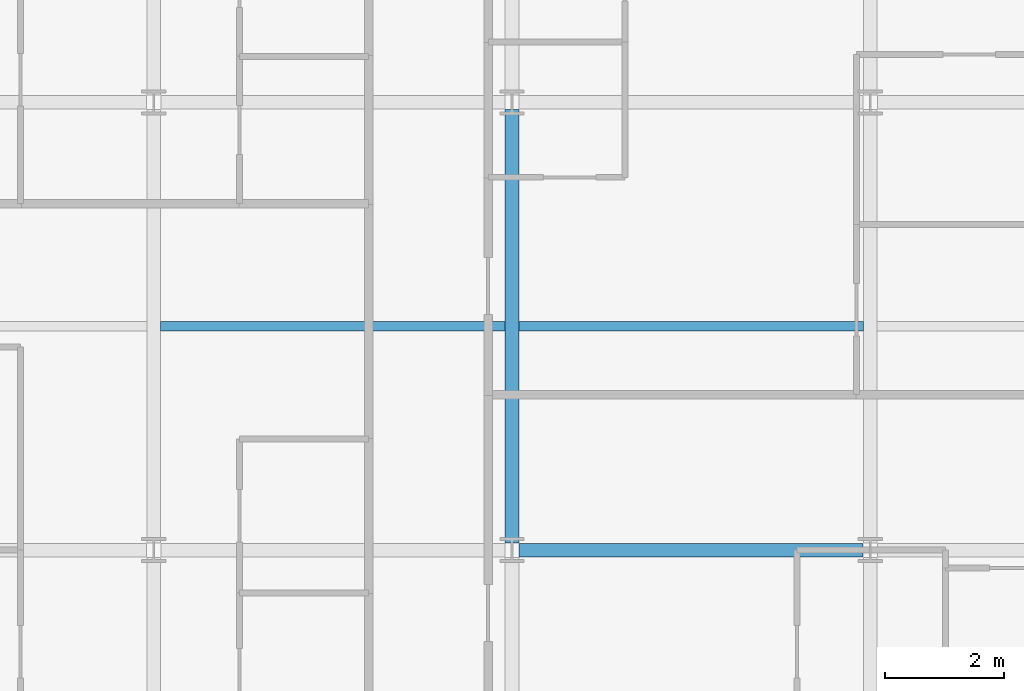
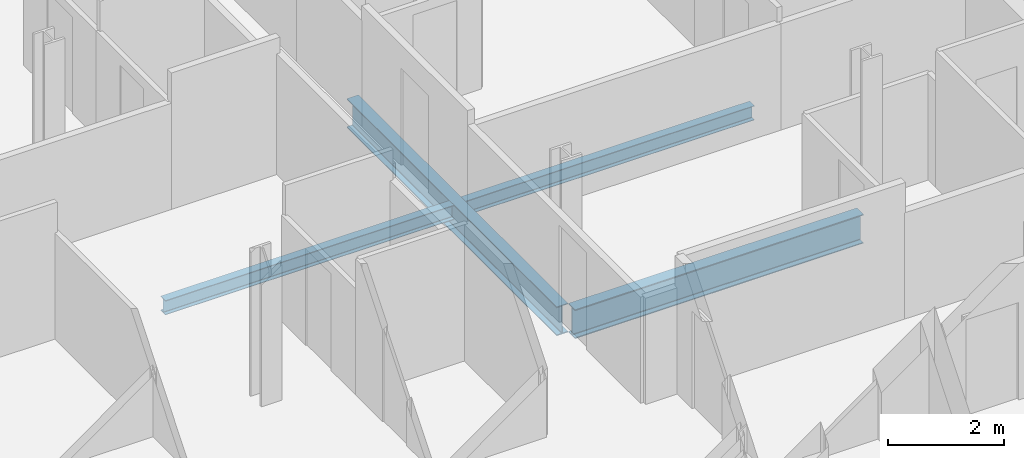
# One storey, part 6 of 40: 4 beams.
"""IFC4 building model written with IfcOpenShell, lengths in metres."""

from ifc_helpers import new_model, si_unit, direction, frame, origin, origin_2d, place, context, subcontext, project, spatial, i_section, extrude, material, material_profile, profile_set, type_object, element, save


model = new_model("IFC4")

# Units and contexts
model_context = context("Model", 3, precision=1e-05, world=origin(), true_north=direction((0.0, 1.0)))
body_context = subcontext(model_context, "Body", "Model", "MODEL_VIEW")
ifc_project = project(units=[si_unit("LENGTHUNIT", "METRE"), si_unit("AREAUNIT", "SQUARE_METRE"), si_unit("VOLUMEUNIT", "CUBIC_METRE"), si_unit("PLANEANGLEUNIT", "RADIAN"), si_unit("MASSUNIT", "GRAM", prefix="KILO")], contexts=[model_context])

# Site, building, storey
site_placement = place(None, origin())
site = spatial("IfcSite", under=ifc_project, at=site_placement, CompositionType="ELEMENT")
building_placement = place(site_placement, origin())
building = spatial("IfcBuilding", under=site, at=building_placement, Name="Brevholm Reach", CompositionType="ELEMENT")
storey_placement = place(building_placement, frame((0.0, 0.0, 125.199951171875)))
storey = spatial("IfcBuildingStorey", under=building, at=storey_placement, Name="L37", CompositionType="ELEMENT", Elevation=125.199951171875)

# Beams
ifc_material_1 = material(Name="Structural Steel S355J2", Category="steel")
ifc_material_profile_1 = material_profile(ifc_material_1, i_section(OverallWidth=0.1650390625, OverallDepth=0.303466796875, WebThickness=0.006103515625, FlangeThickness=0.01025390625, FilletRadius=0.0087890625, at=origin_2d()), Name="UKB 305x165x40")
ifc_profile_set_1 = profile_set([ifc_material_profile_1], Name="Structural Steel S355J2")
beam_type_1 = type_object("IfcBeamType", Name="BM-B305", PredefinedType="BEAM", material=ifc_profile_set_1)
for number, where, z_axis, x_axis, name in (
    (1, (6.114501953125, 19.75, -0.37158203125), (1.0, 0.0, 0.0), (0.0, 1.0, 0.0), "L37 Composite Secondary Floor Beam"),
    (2, (12.114501953125, 19.75, -0.37158203125), (1.0, 0.0, 0.0), (0.0, 1.0, 0.0), "L37 Composite Secondary Floor Beam"),
):
    element("IfcBeam", number, at=place(storey_placement, frame(where, z_axis=z_axis, x_axis=x_axis)), inside=storey, type_object=beam_type_1, Name=name, PredefinedType="BEAM", context=body_context, shape_type="SweptSolid", body=[
        extrude(i_section(OverallWidth=0.1650390625, OverallDepth=0.303466796875, WebThickness=0.006103515625, FlangeThickness=0.01025390625, FilletRadius=0.0087890625, at=origin_2d()), origin(), (0.0, 0.0, 1.0), 5.77099609375),
    ])
ifc_material_2 = material(Name="Structural Steel S355J2", Category="steel")
ifc_material_profile_2 = material_profile(ifc_material_2, i_section(OverallWidth=0.22900390625, OverallDepth=0.6123046875, WebThickness=0.011962890625, FlangeThickness=0.01953125, FilletRadius=0.0126953125, at=origin_2d()), Name="UKB 610x229x125")
ifc_profile_set_2 = profile_set([ifc_material_profile_2], Name="Structural Steel S355J2")
beam_type_2 = type_object("IfcBeamType", Name="BM-SP610", PredefinedType="SPANDREL", material=ifc_profile_set_2)
beam_1_placement = place(storey_placement, frame((12.1201171875, 16.0, -0.526123046875), z_axis=(1.0, 0.0, 0.0), x_axis=(0.0, 1.0, 0.0)))
element("IfcBeam", 3, at=beam_1_placement, inside=storey, type_object=beam_type_2, Name="L37 SP-01 Framing Beam", PredefinedType="SPANDREL", context=body_context, shape_type="SweptSolid", body=[
    extrude(i_section(OverallWidth=0.22900390625, OverallDepth=0.6123046875, WebThickness=0.011962890625, FlangeThickness=0.01953125, FilletRadius=0.0126953125, at=origin_2d()), origin(), (0.0, 0.0, 1.0), 5.759765625),
])
beam_2_placement = place(storey_placement, frame((12.0, 16.1201171875, -0.526123046875), z_axis=(0.0, 1.0, 0.0), x_axis=(-1.0, 0.0, 0.0)))
element("IfcBeam", 4, at=beam_2_placement, inside=storey, type_object=beam_type_2, Name="L37 SP-01 Framing Beam", PredefinedType="SPANDREL", context=body_context, shape_type="SweptSolid", body=[
    extrude(i_section(OverallWidth=0.22900390625, OverallDepth=0.6123046875, WebThickness=0.011962890625, FlangeThickness=0.01953125, FilletRadius=0.0126953125, at=origin_2d()), origin(), (0.0, 0.0, 1.0), 7.259765625),
])

save(model, "model.ifc")
